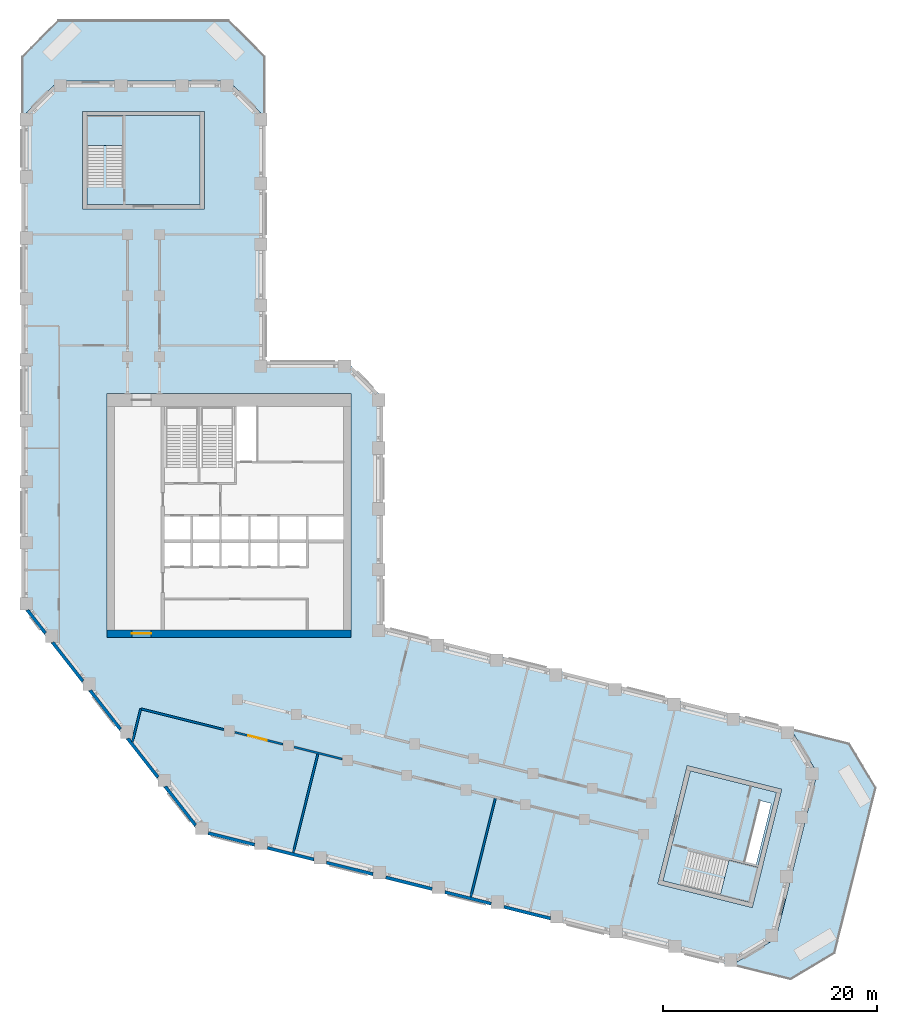
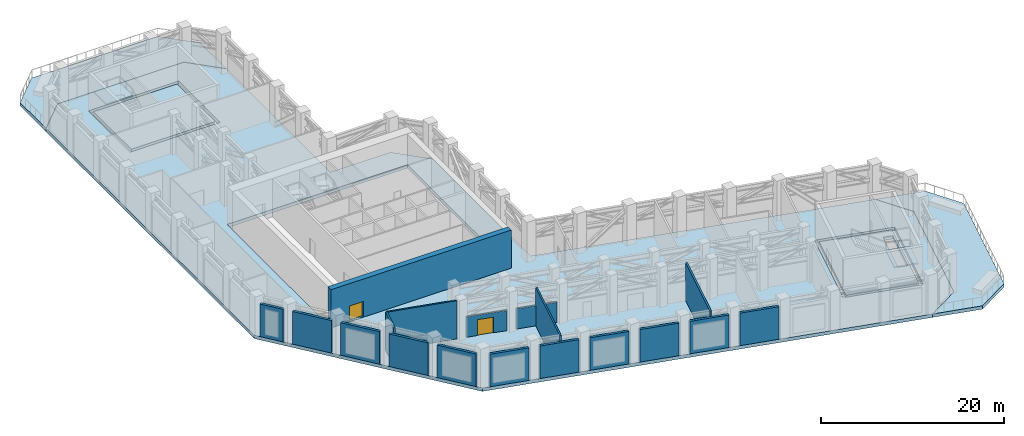
# One storey, part 6 of 14: 18 walls, 7 slabs, 2 doors, 2 openings, 2 elements without a shape of their own.
"""IFC4 building model written with IfcOpenShell, lengths in metres."""

import ifcopenshell
import ifcopenshell.guid

model = None  # the IFC model being written
_history = None  # IfcOwnerHistory: only IFC2X3 demands one
_inside = {}  # id of a spatial element -> (the spatial element, [elements in it])
_under = {}  # id of a project, library or spatial element -> (it, [spatial elements below it])
_declared = {}  # id of a project -> (the project, [libraries it declares])
_typed = {}  # id of a type object -> (the type object, [elements of that type])
_made_of = {}  # id of a material, layer set ... -> (it, [elements and type objects made of it])


def new_model(schema):
    """Start an empty IFC model of exactly this schema.

    Asked for "IFC4X3", IfcOpenShell would pick the latest addendum, in which some entities
    have other attributes; the version numbers below select the first issue.
    IFC2X3 requires an IfcOwnerHistory on every rooted entity: one is made here for all.
    """
    global model, _history
    if schema == "IFC4X3":
        model = ifcopenshell.file(schema_version=(4, 3, 0, 0))
    else:
        model = ifcopenshell.file(schema=schema)
    _inside.clear()
    _under.clear()
    _declared.clear()
    _typed.clear()
    _made_of.clear()
    _history = None
    if model.schema == "IFC2X3":
        org = make("IfcOrganization", Name="unknown")
        user = make(
            "IfcPersonAndOrganization",
            ThePerson=make("IfcPerson", FamilyName="unknown"),
            TheOrganization=org,
        )
        app = make(
            "IfcApplication",
            ApplicationDeveloper=org,
            Version="unknown",
            ApplicationFullName="unknown",
            ApplicationIdentifier="unknown",
        )
        _history = make(
            "IfcOwnerHistory",
            OwningUser=user,
            OwningApplication=app,
            ChangeAction="ADDED",
            CreationDate=0,
        )
    return model


def make(cls, **values):
    """One entity of the class cls with the attributes given. An attribute that is None is left unset."""
    return model.create_entity(
        cls, **{name: value for name, value in values.items() if value is not None}
    )


def rooted(cls, **values):
    """An entity with a GlobalId (a new one), such as an element, a storey or a relation."""
    return make(cls, GlobalId=ifcopenshell.guid.new(), OwnerHistory=_history, **values)


def si_unit(unit_type, name, prefix=None):
    """IfcSIUnit, for example si_unit("LENGTHUNIT", "METRE", prefix="MILLI")."""
    return make("IfcSIUnit", UnitType=unit_type, Prefix=prefix, Name=name)


def assignment(units):
    """IfcUnitAssignment: the units of a project."""
    return None if units is None else make("IfcUnitAssignment", Units=units)


def point(xyz):
    """IfcCartesianPoint."""
    return None if xyz is None else make("IfcCartesianPoint", Coordinates=xyz)


def direction(xyz):
    """IfcDirection."""
    return None if xyz is None else make("IfcDirection", DirectionRatios=xyz)


def frame(location, z_axis=None, x_axis=None):
    """IfcAxis2Placement3D, a coordinate frame: its origin and axes. An axis left out is left unset."""
    return make(
        "IfcAxis2Placement3D",
        Location=point(location),
        Axis=direction(z_axis),
        RefDirection=direction(x_axis),
    )


def frame_2d(location, x_axis=None):
    """IfcAxis2Placement2D, a coordinate frame in the plane: its origin and x axis."""
    return make(
        "IfcAxis2Placement2D", Location=point(location), RefDirection=direction(x_axis)
    )


def origin():
    """The frame at (0, 0, 0) with its axes left unset."""
    return frame((0.0, 0.0, 0.0))


def place(relative_to, where):
    """IfcLocalPlacement: puts the frame where relative to a parent placement (None: the world)."""
    return make(
        "IfcLocalPlacement", PlacementRelTo=relative_to, RelativePlacement=where
    )


def context(
    kind, dimensions, precision=None, world=None, true_north=None, identifier=None
):
    """IfcGeometricRepresentationContext, for example the 3D "Model" context."""
    return make(
        "IfcGeometricRepresentationContext",
        ContextIdentifier=identifier,
        ContextType=kind,
        CoordinateSpaceDimension=dimensions,
        Precision=precision,
        WorldCoordinateSystem=world,
        TrueNorth=true_north,
    )


def subcontext(parent, identifier, kind, view, scale=None):
    """IfcGeometricRepresentationSubContext, for example "Body" below "Model"."""
    return make(
        "IfcGeometricRepresentationSubContext",
        ContextIdentifier=identifier,
        ContextType=kind,
        ParentContext=parent,
        TargetScale=scale,
        TargetView=view,
    )


def project(units=None, contexts=None):
    """IfcProject with its units and contexts."""
    return rooted(
        "IfcProject",
        Name="project",
        RepresentationContexts=contexts,
        UnitsInContext=assignment(units),
    )


def spatial(cls, under=None, at=None, **own):
    """A site, building, storey or space (cls), placed at a placement, below another one or the project."""
    s = rooted(cls, ObjectPlacement=at, **own)
    if under is not None:
        _under.setdefault(under.id(), (under, []))[1].append(s)
    return s


def polyline(points):
    """IfcPolyline through the points."""
    return make("IfcPolyline", Points=[point(p) for p in points])


def profile(cls, at=None, kind="AREA", **sizes):
    """A parametric profile (cls). Its sizes go by their IFC names, for example OverallWidth=200.0."""
    return make(cls, ProfileType=kind, Position=at, **sizes)


def rectangle(**sizes):
    """IfcRectangleProfileDef."""
    return profile("IfcRectangleProfileDef", **sizes)


def outline(outer, holes=None, kind="AREA"):
    """IfcArbitraryClosedProfileDef: a profile drawn as a closed curve; with holes, ...WithVoids."""
    if holes is None:
        return make("IfcArbitraryClosedProfileDef", ProfileType=kind, OuterCurve=outer)
    return make(
        "IfcArbitraryProfileDefWithVoids",
        ProfileType=kind,
        OuterCurve=outer,
        InnerCurves=holes,
    )


def extrude(swept, where, along, depth):
    """IfcExtrudedAreaSolid: the profile swept, set in the frame where, extruded along a direction by depth."""
    return make(
        "IfcExtrudedAreaSolid",
        SweptArea=swept,
        Position=where,
        ExtrudedDirection=direction(along),
        Depth=depth,
    )


def shape(context_of_items, identifier, shape_type, items):
    """IfcShapeRepresentation: the items that make up one representation, for example the "Body"."""
    return make(
        "IfcShapeRepresentation",
        ContextOfItems=context_of_items,
        RepresentationIdentifier=identifier,
        RepresentationType=shape_type,
        Items=items,
    )


def material(Name=None, Category=None):
    """IfcMaterial."""
    return make("IfcMaterial", Name=Name, Category=Category)


def layer(
    of_material, thickness, ventilated=None, Name=None, Category=None, Priority=None
):
    """IfcMaterialLayer: one layer of a wall or slab, of a material (None: an air gap)."""
    return make(
        "IfcMaterialLayer",
        Material=of_material,
        LayerThickness=thickness,
        IsVentilated=ventilated,
        Name=Name,
        Category=Category,
        Priority=Priority,
    )


def layer_set(layers, Name=None):
    """IfcMaterialLayerSet."""
    return make("IfcMaterialLayerSet", MaterialLayers=layers, LayerSetName=Name)


def made_of(thing, what):
    """Note that an element or type object is made of a material, layer set ...; save() writes the relation."""
    if what is not None:
        _made_of.setdefault(what.id(), (what, []))[1].append(thing)
    return thing


def type_object(cls, material=None, **own):
    """A type object (cls), such as IfcWallType, which elements share."""
    return made_of(rooted(cls, **own), material)


def element(
    cls,
    number,
    at=None,
    inside=None,
    cuts=None,
    type_object=None,
    material=None,
    context=None,
    identifier="Body",
    shape_type=None,
    held_by="IfcProductDefinitionShape",
    body=None,
    shapes=None,
    **own,
):
    """One element of the class cls, such as IfcWall. Its Tag is "e" and its number.

    at: its placement. inside: the storey or other place that contains it. cuts: it is an
    opening in that element (IfcRelVoidsElement). A single representation is given by context,
    identifier, shape_type and body (its items); several are given by shapes. held_by: the class
    of the entity that holds the representations. save() writes the other relations.
    """
    e = rooted(cls, Tag="e%d" % number, ObjectPlacement=at, **own)
    if body is not None:
        shapes = [shape(context, identifier, shape_type, body)]
    if shapes is not None:
        e.Representation = make(held_by, Representations=shapes)
    if inside is not None:
        _inside.setdefault(inside.id(), (inside, []))[1].append(e)
    if cuts is not None:
        rooted(
            "IfcRelVoidsElement", RelatingBuildingElement=cuts, RelatedOpeningElement=e
        )
    if type_object is not None:
        _typed.setdefault(type_object.id(), (type_object, []))[1].append(e)
    return made_of(e, material)


def fill(opening, filler):
    """IfcRelFillsElement: the door or window that sits in an opening."""
    return rooted(
        "IfcRelFillsElement",
        RelatingOpeningElement=opening,
        RelatedBuildingElement=filler,
    )


def aggregate(whole, parts):
    """IfcRelAggregates: a whole, such as a stair, and the parts it consists of."""
    return rooted("IfcRelAggregates", RelatingObject=whole, RelatedObjects=parts)


def save(model, path):
    """Write the relations noted so far, then the file.

    IfcRelAggregates (storeys below a building ...), IfcRelContainedInSpatialStructure (elements
    in a storey), IfcRelDefinesByType, IfcRelAssociatesMaterial and IfcRelDeclares: one each for
    every whole, place, type object, material and project.
    """
    for whole, parts in _under.values():
        aggregate(whole, parts)
    for where, things in _inside.values():
        rooted(
            "IfcRelContainedInSpatialStructure",
            RelatedElements=things,
            RelatingStructure=where,
        )
    for kind, things in _typed.values():
        rooted("IfcRelDefinesByType", RelatedObjects=things, RelatingType=kind)
    for what, things in _made_of.values():
        rooted("IfcRelAssociatesMaterial", RelatedObjects=things, RelatingMaterial=what)
    for by, libraries in _declared.values():
        rooted("IfcRelDeclares", RelatingContext=by, RelatedDefinitions=libraries)
    model.write(path)


model = new_model("IFC4")

# Units and contexts
model_context = context("Model", 3, precision=1e-05, world=origin(), true_north=direction((0.0, 1.0)))
body_context = subcontext(model_context, "Body", "Model", "MODEL_VIEW")
ifc_project = project(units=[si_unit("LENGTHUNIT", "METRE"), si_unit("AREAUNIT", "SQUARE_METRE"), si_unit("VOLUMEUNIT", "CUBIC_METRE"), si_unit("PLANEANGLEUNIT", "RADIAN"), si_unit("MASSUNIT", "GRAM", prefix="KILO")], contexts=[model_context])

# Site, building, storey
site_placement = place(None, origin())
site = spatial("IfcSite", under=ifc_project, at=site_placement, CompositionType="ELEMENT")
building_placement = place(site_placement, origin())
building = spatial("IfcBuilding", under=site, at=building_placement, Name="Meshkara Civic Tower", CompositionType="ELEMENT")
storey_placement = place(building_placement, frame((0.0, 0.0, 220.199951171875)))
storey = spatial("IfcBuildingStorey", under=building, at=storey_placement, Name="L50", CompositionType="ELEMENT", Elevation=220.199951171875)

# Slabs
ifc_material_1 = material(Name="Concrete C40/50", Category="concrete")
ifc_layer_1 = layer(ifc_material_1, 0.449951171875)
ifc_layer_set_1 = layer_set([ifc_layer_1], Name="Core floor slab 450 C40/50")
slab_type_1 = type_object("IfcSlabType", Name="Core floor slab 450 C40/50", PredefinedType="FLOOR", material=ifc_layer_set_1)
slab_1_placement = place(storey_placement, frame((0.0, 0.0, -0.449951171875)))
element("IfcSlab", 1, at=slab_1_placement, inside=storey, type_object=slab_type_1, Name="Core floor EA", PredefinedType="FLOOR", context=body_context, shape_type="SweptSolid", body=[
    extrude(outline(polyline([(6.10009765625, 54.570068359375), (16.699951171875, 54.570068359375), (16.699951171875, 62.8701171875), (6.10009765625, 62.8701171875), (6.10009765625, 54.570068359375)])), origin(), (0.0, 0.0, 1.0), 0.449951171875),
])
slab_2_placement = place(storey_placement, frame((0.0, 0.0, -0.449951171875)))
element("IfcSlab", 2, at=slab_2_placement, inside=storey, type_object=slab_type_1, Name="Core floor EB", PredefinedType="FLOOR", context=body_context, shape_type="SweptSolid", body=[
    extrude(outline(polyline([(62.519775390625, 1.623291015625), (70.5732421875, -0.384765625), (68.0087890625, -10.669677734375), (59.95556640625, -8.661865234375), (62.519775390625, 1.623291015625)]), holes=[polyline([(67.580078125, -6.853271484375), (68.666015625, -7.122802734375), (70.087890625, -1.419921875), (69.002197265625, -1.149169921875), (67.580078125, -6.853271484375)])]), origin(), (0.0, 0.0, 1.0), 0.449951171875),
])

# Stair, slab
ifc_material_2 = material(Name="Precast concrete C40/50", Category="concrete")
stair_type = type_object("IfcStairType", Name="Exit stair half-turn 30 risers 1600 precast", PredefinedType="HALF_TURN_STAIR", material=ifc_material_2)
stair_1_placement = place(storey_placement, origin())
stair_1 = element("IfcStair", 3, at=stair_1_placement, inside=storey, type_object=stair_type, Name="L50 exit stair A from L50", PredefinedType="HALF_TURN_STAIR")
ifc_material_3 = material(Name="Precast concrete C40/50", Category="concrete")
ifc_layer_2 = layer(ifc_material_3, 0.199951171875)
ifc_layer_set_2 = layer_set([ifc_layer_2], Name="Exit stair landing 200")
slab_type_2 = type_object("IfcSlabType", Name="Exit stair landing 200", PredefinedType="LANDING", material=ifc_layer_set_2)
slab_3_placement = place(storey_placement, frame((0.0, 0.0, 2.5)))
slab_3 = element("IfcSlab", 4, at=slab_3_placement, type_object=slab_type_2, Name="ESA4 landing 1", PredefinedType="LANDING", context=body_context, shape_type="SweptSolid", body=[
    extrude(outline(polyline([(9.5, 60.08837890625), (9.5, 62.8701171875), (6.10009765625, 62.8701171875), (6.10009765625, 60.08837890625), (9.5, 60.08837890625)])), origin(), (0.0, 0.0, 1.0), 0.199951171875),
])
aggregate(stair_1, [slab_3])

stair_2_placement = place(storey_placement, origin())
stair_2 = element("IfcStair", 5, at=stair_2_placement, inside=storey, type_object=stair_type, Name="L50 exit stair B from L50", PredefinedType="HALF_TURN_STAIR")
slab_4_placement = place(storey_placement, frame((0.0, 0.0, 2.5)))
slab_4 = element("IfcSlab", 6, at=slab_4_placement, type_object=slab_type_2, Name="ESB4 landing 1", PredefinedType="LANDING", context=body_context, shape_type="SweptSolid", body=[
    extrude(outline(polyline([(65.309814453125, -9.997802734375), (68.0087890625, -10.67138671875), (68.83203125, -7.371337890625), (66.133056640625, -6.697998046875), (65.309814453125, -9.997802734375)])), origin(), (0.0, 0.0, 1.0), 0.199951171875),
])
aggregate(stair_2, [slab_4])

# Slabs
ifc_material_4 = material(Name="Concrete C50", Category="concrete")
ifc_layer_3 = layer(ifc_material_4, 0.449951171875)
ifc_layer_set_3 = layer_set([ifc_layer_3], Name="Terrace slab 450 C50")
slab_type_3 = type_object("IfcSlabType", Name="Terrace slab 450 C50", PredefinedType="ROOF", material=ifc_layer_set_3)
slab_5_placement = place(storey_placement, frame((0.0, 0.0, -0.449951171875)))
element("IfcSlab", 7, at=slab_5_placement, inside=storey, type_object=slab_type_3, Name="Terrace slab L50", PredefinedType="ROOF", context=body_context, shape_type="SweptSolid", body=[
    extrude(outline(polyline([(79.906005859375, 0.051025390625), (76.044921875, -15.43505859375), (71.89892578125, -17.926025390625), (66.367919921875, -16.547119140625), (70.513916015625, -14.055908203125), (74.375, 1.429931640625), (71.884033203125, 5.574951171875), (77.4150390625, 4.196044921875), (79.906005859375, 0.051025390625)])), origin(), (0.0, 0.0, 1.0), 0.449951171875),
])
slab_6_placement = place(storey_placement, frame((0.0, 0.0, -0.449951171875)))
element("IfcSlab", 8, at=slab_6_placement, inside=storey, type_object=slab_type_3, Name="Terrace slab L50", PredefinedType="ROOF", context=body_context, shape_type="SweptSolid", body=[
    extrude(outline(polyline([(3.419921875, 71.820068359375), (19.3798828125, 71.820068359375), (22.800048828125, 68.39990234375), (22.800048828125, 62.699951171875), (19.3798828125, 66.1201171875), (3.419921875, 66.1201171875), (0.0, 62.699951171875), (0.0, 68.39990234375), (3.419921875, 71.820068359375)])), origin(), (0.0, 0.0, 1.0), 0.449951171875),
])
ifc_material_5 = material(Name="Concrete C60", Category="concrete")
ifc_layer_4 = layer(ifc_material_5, 0.449951171875)
ifc_layer_set_4 = layer_set([ifc_layer_4], Name="Transfer plate 450 C60")
slab_type_4 = type_object("IfcSlabType", Name="Transfer plate 450 C60", PredefinedType="FLOOR", material=ifc_layer_set_4)
slab_7_placement = place(storey_placement, frame((0.0, 0.0, -0.449951171875)))
element("IfcSlab", 9, at=slab_7_placement, inside=storey, type_object=slab_type_4, Name="Transfer plate L50", PredefinedType="FLOOR", context=body_context, shape_type="SweptSolid", body=[
    extrude(outline(polyline([(70.513916015625, -14.055908203125), (66.367919921875, -16.547119140625), (16.592041015625, -4.136962890625), (0.0, 17.10009765625), (0.0, 62.699951171875), (3.419921875, 66.1201171875), (19.3798828125, 66.1201171875), (22.800048828125, 62.699951171875), (22.800048828125, 39.89990234375), (30.3798828125, 39.89990234375), (33.800048828125, 36.47998046875), (33.800048828125, 15.071044921875), (71.884033203125, 5.574951171875), (74.375, 1.429931640625), (70.513916015625, -14.055908203125)]), holes=[polyline([(68.300048828125, -11.155029296875), (71.05810546875, -0.093017578125), (62.22802734375, 2.10791015625), (59.470947265625, -8.952880859375), (68.300048828125, -11.155029296875)]), polyline([(8.0, 14.10009765625), (30.800048828125, 14.10009765625), (30.800048828125, 36.89990234375), (8.0, 36.89990234375), (8.0, 14.10009765625)]), polyline([(5.699951171875, 63.27001953125), (5.699951171875, 54.169921875), (17.10009765625, 54.169921875), (17.10009765625, 63.27001953125), (5.699951171875, 63.27001953125)])]), origin(), (0.0, 0.0, 1.0), 0.449951171875),
])

# Wall, opening, door
ifc_material_6 = material(Name="Concrete C70", Category="concrete")
ifc_layer_5 = layer(ifc_material_6, 0.699951171875)
ifc_layer_set_5 = layer_set([ifc_layer_5], Name="Core ring wall 700 C70")
wall_type_1 = type_object("IfcWallType", Name="Core ring wall 700 C70", PredefinedType="SHEAR", material=ifc_layer_set_5)
wall_1_placement = place(storey_placement, frame((8.0, 14.449951171875, -0.449951171875), z_axis=(0.0, 0.0, 1.0), x_axis=(1.0, 0.0, 0.0)))
wall_1 = element("IfcWall", 10, at=wall_1_placement, inside=storey, type_object=wall_type_1, Name="L50-C001", PredefinedType="SHEAR", context=body_context, shape_type="SweptSolid", body=[
    extrude(rectangle(XDim=22.800048828125, YDim=0.699951171875, at=frame_2d((11.39990234375, 0.0))), origin(), (0.0, 0.0, 1.0), 5.550048828125),
])
opening_1_placement = place(wall_1_placement, frame((2.300048828125, 0.0, 0.449951171875)))
opening_1 = element("IfcOpeningElement", 11, at=opening_1_placement, cuts=wall_1, Name="Opening L50-K019", PredefinedType="OPENING", context=body_context, shape_type="SweptSolid", body=[
    extrude(rectangle(XDim=1.800048828125, YDim=2.10009765625, at=frame_2d((0.89990234375, 1.050048828125))), frame((0.0, 0.35986328125, 0.0), z_axis=(0.0, -1.0, 0.0), x_axis=(1.0, 0.0, 0.0)), (0.0, 0.0, 1.0), 0.719970703125),
])
ifc_material_7 = material(Name="Fire-rated door leaf in steel frame", Category="steel")
door_type_1 = type_object("IfcDoorType", Name="Core double door 1800 EI 60", OperationType="DOUBLE_DOOR_SINGLE_SWING", PredefinedType="DOOR", material=ifc_material_7)
door_1_placement = place(opening_1_placement, origin())
door_1 = element("IfcDoor", 12, at=door_1_placement, inside=storey, type_object=door_type_1, Name="L50-K019", OperationType="DOUBLE_DOOR_SINGLE_SWING", OverallHeight=2.10009765625, OverallWidth=1.800048828125, PredefinedType="DOOR", context=body_context, shape_type="SweptSolid", body=[
    extrude(rectangle(XDim=1.800048828125, YDim=2.10009765625, at=frame_2d((0.89990234375, 1.050048828125))), frame((0.0, 0.02490234375, 0.0), z_axis=(0.0, -1.0, 0.0), x_axis=(1.0, 0.0, 0.0)), (0.0, 0.0, 1.0), 0.050048828125),
])
fill(opening_1, door_1)

# Walls
ifc_material_8 = material(Name="Insulated infill panel with bronze anodised aluminium cladding", Category="aluminium")
ifc_layer_6 = layer(ifc_material_8, 0.300048828125)
ifc_layer_set_6 = layer_set([ifc_layer_6], Name="EXTERNAL INFILL WALL 300")
wall_type_2 = type_object("IfcWallType", Name="EXTERNAL INFILL WALL 300", PredefinedType="SOLIDWALL", material=ifc_layer_set_6)
wall_2_placement = place(storey_placement, frame((0.5380859375, 16.655029296875, 0.0), z_axis=(0.0, 0.0, 1.0), x_axis=(0.615696253368, -0.787983580786, 0.0)))
element("IfcWall", 13, at=wall_2_placement, inside=storey, type_object=wall_type_2, Name="External wall", PredefinedType="SOLIDWALL", context=body_context, shape_type="SweptSolid", body=[
    extrude(rectangle(XDim=2.72216796875, YDim=0.300048828125, at=frame_2d((1.361083984375, 0.0))), origin(), (0.0, 0.0, 1.0), 4.35009765625),
])
wall_3_placement = place(storey_placement, frame((2.902099609375, 13.62890625, 0.0), z_axis=(0.0, 0.0, 1.0), x_axis=(0.615724702447, -0.78796135108, 0.0)))
element("IfcWall", 14, at=wall_3_placement, inside=storey, type_object=wall_type_2, Name="External wall", PredefinedType="SOLIDWALL", context=body_context, shape_type="SweptSolid", body=[
    extrude(rectangle(XDim=4.581298828125, YDim=0.300048828125, at=frame_2d((2.29052734375, 0.0))), origin(), (0.0, 0.0, 1.0), 4.35009765625),
])
wall_4_placement = place(storey_placement, frame((6.412109375, 9.136962890625, 0.0), z_axis=(0.0, 0.0, 1.0), x_axis=(0.615595445955, -0.78806233695, 0.0)))
element("IfcWall", 15, at=wall_4_placement, inside=storey, type_object=wall_type_2, Name="External wall", PredefinedType="SOLIDWALL", context=body_context, shape_type="SweptSolid", body=[
    extrude(rectangle(XDim=4.582275390625, YDim=0.300048828125, at=frame_2d((2.291015625, 0.0))), origin(), (0.0, 0.0, 1.0), 4.35009765625),
])
for number, where, z_axis, x_axis, name in (
    (16, (9.9208984375, 4.64501953125, 0.0), (0.0, 0.0, 1.0), (0.615731934318, -0.787955699936, 0.0), "External wall"),
    (17, (13.429931640625, 0.154052734375, 0.0), (0.0, 0.0, 1.0), (0.615731934318, -0.787955699936, 0.0), "External wall"),
):
    element("IfcWall", number, at=place(storey_placement, frame(where, z_axis=z_axis, x_axis=x_axis)), inside=storey, type_object=wall_type_2, Name=name, PredefinedType="SOLIDWALL", context=body_context, shape_type="SweptSolid", body=[
        extrude(rectangle(XDim=4.58154296875, YDim=0.300048828125, at=frame_2d((2.290771484375, 0.0))), origin(), (0.0, 0.0, 1.0), 4.35009765625),
    ])
wall_5_placement = place(storey_placement, frame((17.450927734375, -4.197021484375, 0.0), z_axis=(0.0, 0.0, 1.0), x_axis=(0.970348073531, -0.241711845374, 0.0)))
element("IfcWall", 18, at=wall_5_placement, inside=storey, type_object=wall_type_2, Name="External wall", PredefinedType="SOLIDWALL", context=body_context, shape_type="SweptSolid", body=[
    extrude(rectangle(XDim=4.46337890625, YDim=0.300048828125, at=frame_2d((2.231689453125, 0.0))), origin(), (0.0, 0.0, 1.0), 4.35009765625),
])
wall_6_placement = place(storey_placement, frame((22.98193359375, -5.575927734375, 0.0), z_axis=(0.0, 0.0, 1.0), x_axis=(0.970322450875, -0.241814683856, 0.0)))
element("IfcWall", 19, at=wall_6_placement, inside=storey, type_object=wall_type_2, Name="External wall", PredefinedType="SOLIDWALL", context=body_context, shape_type="SweptSolid", body=[
    extrude(rectangle(XDim=4.46240234375, YDim=0.300048828125, at=frame_2d((2.231201171875, 0.0))), origin(), (0.0, 0.0, 1.0), 4.35009765625),
])
for number, where, z_axis, x_axis, name in (
    (20, (28.511962890625, -6.9541015625, 0.0), (0.0, 0.0, 1.0), (0.970296737599, -0.241917839369, 0.0), "External wall"),
    (21, (34.04296875, -8.3330078125, 0.0), (0.0, 0.0, 1.0), (0.970283897632, -0.241969332758, 0.0), "External wall"),
    (22, (39.573974609375, -9.7119140625, 0.0), (0.0, 0.0, 1.0), (0.970283897632, -0.241969332758, 0.0), "External wall"),
):
    element("IfcWall", number, at=place(storey_placement, frame(where, z_axis=z_axis, x_axis=x_axis)), inside=storey, type_object=wall_type_2, Name=name, PredefinedType="SOLIDWALL", context=body_context, shape_type="SweptSolid", body=[
        extrude(rectangle(XDim=4.463623046875, YDim=0.300048828125, at=frame_2d((2.23193359375, 0.0))), origin(), (0.0, 0.0, 1.0), 4.35009765625),
    ])
wall_7_placement = place(storey_placement, frame((45.10498046875, -11.091064453125, 0.0), z_axis=(0.0, 0.0, 1.0), x_axis=(0.970283929489, -0.241969205014, 0.0)))
element("IfcWall", 23, at=wall_7_placement, inside=storey, type_object=wall_type_2, Name="External wall", PredefinedType="SOLIDWALL", context=body_context, shape_type="SweptSolid", body=[
    extrude(rectangle(XDim=4.462646484375, YDim=0.300048828125, at=frame_2d((2.2314453125, 0.0))), origin(), (0.0, 0.0, 1.0), 4.35009765625),
])
ifc_material_9 = material(Name="Fire-rated wall 200")
ifc_layer_7 = layer(ifc_material_9, 0.199951171875)
ifc_layer_set_7 = layer_set([ifc_layer_7], Name="Fire-rated wall 200")
wall_type_3 = type_object("IfcWallType", Name="Fire-rated wall 200", PredefinedType="PARTITIONING", material=ifc_layer_set_7)
wall_8_placement = place(storey_placement, frame((10.351318359375, 4.3125, 0.0), z_axis=(0.0, 0.0, 1.0), x_axis=(0.241802239048, 0.970325552169, 0.0)))
element("IfcWall", 24, at=wall_8_placement, inside=storey, type_object=wall_type_3, Name="L50-R006", PredefinedType="PARTITIONING", context=body_context, shape_type="SweptSolid", body=[
    extrude(rectangle(XDim=3.211669921875, YDim=0.199951171875, at=frame_2d((1.60595703125, 0.0))), origin(), (0.0, 0.0, 1.0), 5.10009765625),
])
wall_9_placement = place(storey_placement, frame((11.1279296875, 7.428955078125, 0.0), z_axis=(0.0, 0.0, 1.0), x_axis=(0.970291050996, -0.241940646354, 0.0)))
element("IfcWall", 25, at=wall_9_placement, inside=storey, type_object=wall_type_3, Name="L50-R007", PredefinedType="PARTITIONING", context=body_context, shape_type="SweptSolid", body=[
    extrude(rectangle(XDim=8.01416015625, YDim=0.199951171875, at=frame_2d((4.007080078125, 0.0))), origin(), (0.0, 0.0, 1.0), 5.10009765625),
])

# Wall, opening, door
wall_10_placement = place(storey_placement, frame((19.944091796875, 5.23095703125, 0.0), z_axis=(0.0, 0.0, 1.0), x_axis=(0.970275800472, -0.242001799618, 0.0)))
wall_10 = element("IfcWall", 26, at=wall_10_placement, inside=storey, type_object=wall_type_3, Name="L50-R011", PredefinedType="PARTITIONING", context=body_context, shape_type="SweptSolid", body=[
    extrude(rectangle(XDim=4.62744140625, YDim=0.199951171875, at=frame_2d((2.313720703125, 0.0))), origin(), (0.0, 0.0, 1.0), 2.699951171875),
])
opening_2_placement = place(wall_10_placement, frame((1.280029296875, 0.0, 0.0)))
opening_2 = element("IfcOpeningElement", 27, at=opening_2_placement, cuts=wall_10, Name="Opening L50-P004", PredefinedType="OPENING", context=body_context, shape_type="SweptSolid", body=[
    extrude(rectangle(XDim=1.800048828125, YDim=2.10009765625, at=frame_2d((0.89990234375, 1.050048828125))), frame((0.0, 0.10986328125, 0.0), z_axis=(0.0, -1.0, 0.0), x_axis=(1.0, 0.0, 0.0)), (0.0, 0.0, 1.0), 0.219970703125),
])
ifc_material_10 = material(Name="Door pair 1800 x 2100")
door_type_2 = type_object("IfcDoorType", Name="Door pair 1800 x 2100", OperationType="SINGLE_SWING_LEFT", PredefinedType="DOOR", material=ifc_material_10)
door_2_placement = place(opening_2_placement, origin())
door_2 = element("IfcDoor", 28, at=door_2_placement, inside=storey, type_object=door_type_2, Name="L50-P004", OperationType="DOUBLE_DOOR_SINGLE_SWING", OverallHeight=2.10009765625, OverallWidth=1.800048828125, PredefinedType="DOOR", context=body_context, shape_type="SweptSolid", body=[
    extrude(rectangle(XDim=1.800048828125, YDim=2.10009765625, at=frame_2d((0.89990234375, 1.050048828125))), frame((0.0, 0.02490234375, 0.0), z_axis=(0.0, -1.0, 0.0), x_axis=(1.0, 0.0, 0.0)), (0.0, 0.0, 1.0), 0.050048828125),
])
fill(opening_2, door_2)

# Walls
wall_11_placement = place(storey_placement, frame((25.47412109375, 3.85205078125, 0.0), z_axis=(0.0, 0.0, 1.0), x_axis=(0.970275771514, -0.242001915722, 0.0)))
element("IfcWall", 29, at=wall_11_placement, inside=storey, type_object=wall_type_3, Name="L50-R013", PredefinedType="PARTITIONING", context=body_context, shape_type="SweptSolid", body=[
    extrude(rectangle(XDim=4.628662109375, YDim=0.199951171875, at=frame_2d((2.314453125, 0.0))), origin(), (0.0, 0.0, 1.0), 2.699951171875),
])
wall_12_placement = place(storey_placement, frame((25.392822265625, -6.04248046875, 0.0), z_axis=(0.0, 0.0, 1.0), x_axis=(0.241929295007, 0.970293881367, 0.0)))
element("IfcWall", 30, at=wall_12_placement, inside=storey, type_object=wall_type_3, Name="L50-R033", PredefinedType="PARTITIONING", context=body_context, shape_type="SweptSolid", body=[
    extrude(rectangle(XDim=9.569580078125, YDim=0.199951171875, at=frame_2d((4.78466796875, 0.0))), origin(), (0.0, 0.0, 1.0), 5.10009765625),
])
wall_13_placement = place(storey_placement, frame((41.984619140625, -10.179443359375, 0.0), z_axis=(0.0, 0.0, 1.0), x_axis=(0.241953313473, 0.97028789238, 0.0)))
element("IfcWall", 31, at=wall_13_placement, inside=storey, type_object=wall_type_3, Name="L50-R034", PredefinedType="PARTITIONING", context=body_context, shape_type="SweptSolid", body=[
    extrude(rectangle(XDim=9.56982421875, YDim=0.199951171875, at=frame_2d((4.784912109375, 0.0))), origin(), (0.0, 0.0, 1.0), 5.10009765625),
])

save(model, "model.ifc")
